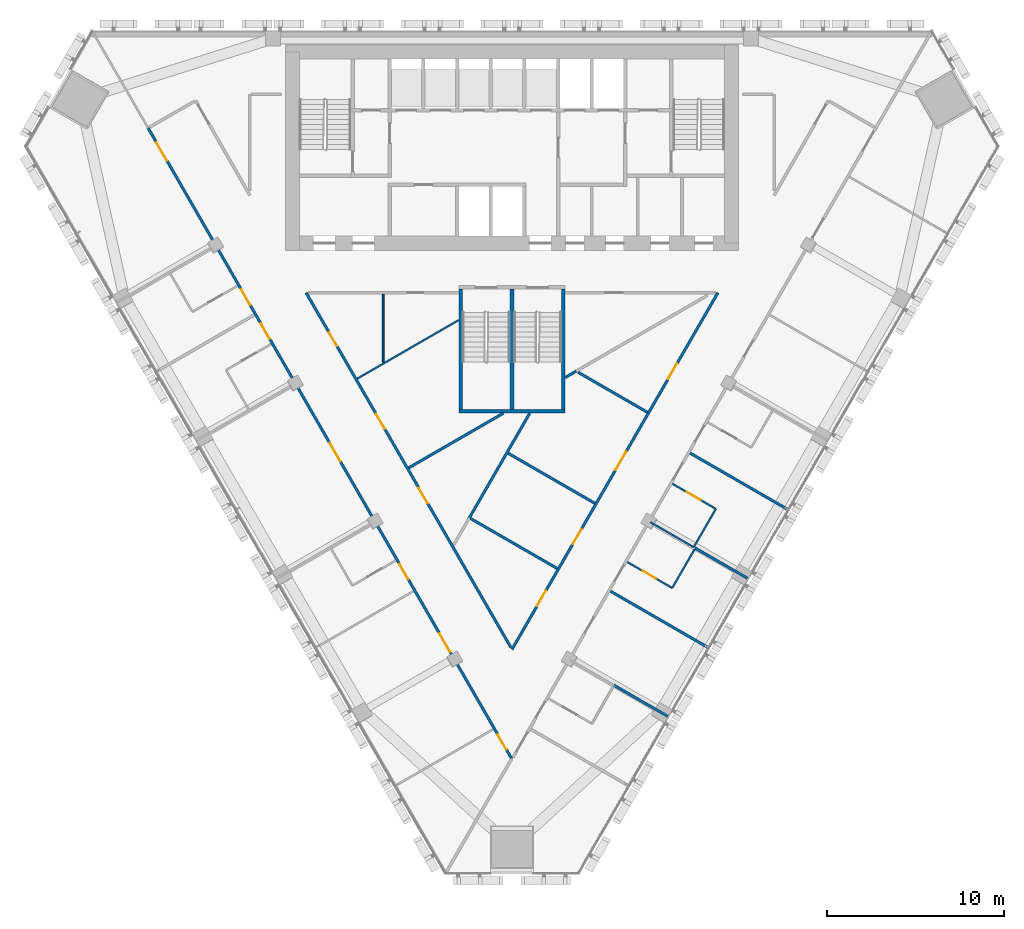
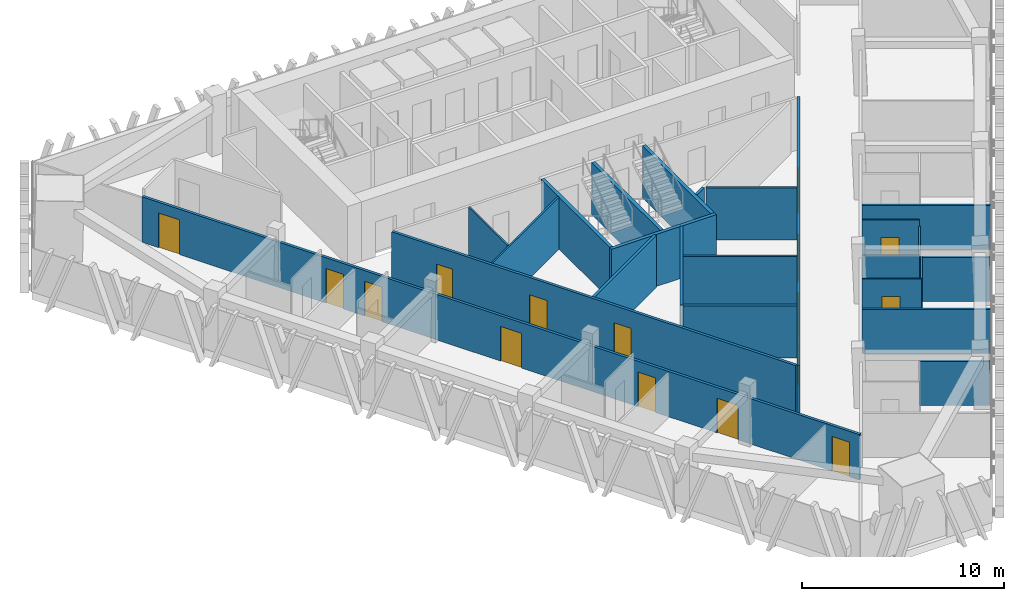
# One storey, part 9 of 15: 24 walls, 16 doors, 16 openings.
"""IFC4 building model written with IfcOpenShell, lengths in metres."""

from ifc_helpers import new_model, si_unit, direction, frame, frame_2d, origin, place, context, subcontext, project, spatial, rectangle, extrude, material, layer, layer_set, type_object, element, fill, save


model = new_model("IFC4")

# Units and contexts
model_context = context("Model", 3, precision=1e-05, world=origin(), true_north=direction((0.0, 1.0)))
body_context = subcontext(model_context, "Body", "Model", "MODEL_VIEW")
ifc_project = project(units=[si_unit("LENGTHUNIT", "METRE"), si_unit("AREAUNIT", "SQUARE_METRE"), si_unit("VOLUMEUNIT", "CUBIC_METRE"), si_unit("PLANEANGLEUNIT", "RADIAN"), si_unit("MASSUNIT", "GRAM", prefix="KILO")], contexts=[model_context])

# Site, building, storey
site_placement = place(None, origin())
site = spatial("IfcSite", under=ifc_project, at=site_placement, CompositionType="ELEMENT")
building_placement = place(site_placement, origin())
building = spatial("IfcBuilding", under=site, at=building_placement, Name="Altiplano Prism Tower", CompositionType="ELEMENT")
storey_placement = place(building_placement, frame((0.0, 0.0, 142.199951171875)))
storey = spatial("IfcBuildingStorey", under=building, at=storey_placement, Name="L36", CompositionType="ELEMENT", Elevation=142.199951171875)

# Wall
ifc_material_1 = material(Name="Plasterboard on steel stud", Category="steel")
ifc_layer_1 = layer(ifc_material_1, 0.10009765625)
ifc_layer_set_1 = layer_set([ifc_layer_1], Name="Plasterboard on steel stud")
wall_type_1 = type_object("IfcWallType", Name="Partition 100 unit", PredefinedType="PARTITIONING", material=ifc_layer_set_1)
wall_1_placement = place(storey_placement, frame((95.308349609375, 75.721435546875, 0.0), z_axis=(0.0, 0.0, 1.0), x_axis=(-0.499976333282, -0.866039067339, 0.0)))
element("IfcWall", 1, at=wall_1_placement, inside=storey, type_object=wall_type_1, Name="Partition P02 L36 040", PredefinedType="PARTITIONING", context=body_context, shape_type="SweptSolid", body=[
    extrude(rectangle(XDim=2.52490234375, YDim=0.10009765625, at=frame_2d((1.262451171875, 0.0))), origin(), (0.0, 0.0, 1.0), 2.75),
])

# Wall, opening, door
wall_2_placement = place(storey_placement, frame((94.0458984375, 73.53466796875, 0.0), z_axis=(0.0, 0.0, 1.0), x_axis=(-0.866022048785, 0.500005810984, 0.0)))
wall_2 = element("IfcWall", 2, at=wall_2_placement, inside=storey, type_object=wall_type_1, Name="Partition P02 L36 041", PredefinedType="PARTITIONING", context=body_context, shape_type="SweptSolid", body=[
    extrude(rectangle(XDim=2.93359375, YDim=0.10009765625, at=frame_2d((1.466796875, 0.0))), origin(), (0.0, 0.0, 1.0), 3.150146484375),
])
opening_1_placement = place(wall_2_placement, frame((1.050048828125, 0.0, 0.0)))
opening_1 = element("IfcOpeningElement", 3, at=opening_1_placement, cuts=wall_2, Name="Opening D1315", PredefinedType="OPENING", context=body_context, shape_type="SweptSolid", body=[
    extrude(rectangle(XDim=0.89990234375, YDim=2.10009765625, at=frame_2d((0.449951171875, 1.050048828125))), frame((0.0, 0.060546875, 0.0), z_axis=(0.0, -1.0, 0.0), x_axis=(1.0, 0.0, 0.0)), (0.0, 0.0, 1.0), 0.12109375),
])
ifc_material_2 = material(Name="Timber", Category="wood")
door_type_1 = type_object("IfcDoorType", Name="Ensuite door 900 x 2100", OperationType="NOTDEFINED", PredefinedType="NOTDEFINED", material=ifc_material_2)
door_1_placement = place(opening_1_placement, origin())
door_1 = element("IfcDoor", 4, at=door_1_placement, inside=storey, type_object=door_type_1, Name="Door D1315", OperationType="SINGLE_SWING_LEFT", OverallHeight=2.10009765625, OverallWidth=0.89990234375, PredefinedType="NOTDEFINED", context=body_context, shape_type="SweptSolid", body=[
    extrude(rectangle(XDim=0.89990234375, YDim=2.10009765625, at=frame_2d((0.449951171875, 1.050048828125))), frame((0.0, 0.02490234375, 0.0), z_axis=(0.0, -1.0, 0.0), x_axis=(1.0, 0.0, 0.0)), (0.0, 0.0, 1.0), 0.050048828125),
])
fill(opening_1, door_1)

wall_3_placement = place(storey_placement, frame((94.052490234375, 79.419921875, 0.0), z_axis=(0.0, 0.0, 1.0), x_axis=(0.866020773897, -0.500008019114, 0.0)))
wall_3 = element("IfcWall", 5, at=wall_3_placement, inside=storey, type_object=wall_type_1, Name="Partition P02 L36 044", PredefinedType="PARTITIONING", context=body_context, shape_type="SweptSolid", body=[
    extrude(rectangle(XDim=2.8369140625, YDim=0.10009765625, at=frame_2d((1.41845703125, 0.0))), origin(), (0.0, 0.0, 1.0), 3.150146484375),
])
opening_2_placement = place(wall_3_placement, frame((0.93701171875, 0.0, 0.0)))
opening_2 = element("IfcOpeningElement", 6, at=opening_2_placement, cuts=wall_3, Name="Opening D1317", PredefinedType="OPENING", context=body_context, shape_type="SweptSolid", body=[
    extrude(rectangle(XDim=0.89990234375, YDim=2.10009765625, at=frame_2d((0.449951171875, 1.050048828125))), frame((0.0, 0.060546875, 0.0), z_axis=(0.0, -1.0, 0.0), x_axis=(1.0, 0.0, 0.0)), (0.0, 0.0, 1.0), 0.12109375),
])
door_2_placement = place(opening_2_placement, origin())
door_2 = element("IfcDoor", 7, at=door_2_placement, inside=storey, type_object=door_type_1, Name="Door D1317", OperationType="SINGLE_SWING_LEFT", OverallHeight=2.10009765625, OverallWidth=0.89990234375, PredefinedType="NOTDEFINED", context=body_context, shape_type="SweptSolid", body=[
    extrude(rectangle(XDim=0.89990234375, YDim=2.10009765625, at=frame_2d((0.449951171875, 1.050048828125))), frame((0.0, 0.02490234375, 0.0), z_axis=(0.0, -1.0, 0.0), x_axis=(1.0, 0.0, 0.0)), (0.0, 0.0, 1.0), 0.050048828125),
])
fill(opening_2, door_2)

# Walls
wall_4_placement = place(storey_placement, frame((96.50927734375, 78.00146484375, 0.0), z_axis=(0.0, 0.0, 1.0), x_axis=(-0.500004234368, -0.866022959057, 0.0)))
element("IfcWall", 8, at=wall_4_placement, inside=storey, type_object=wall_type_1, Name="Partition P02 L36 045", PredefinedType="PARTITIONING", context=body_context, shape_type="SweptSolid", body=[
    extrude(rectangle(XDim=2.5, YDim=0.10009765625, at=frame_2d((1.25, 0.0))), origin(), (0.0, 0.0, 1.0), 2.75),
])
ifc_layer_2 = layer(ifc_material_1, 0.10009765625)
ifc_layer_set_2 = layer_set([ifc_layer_2], Name="Plasterboard on steel stud")
wall_type_2 = type_object("IfcWallType", Name="Partition 100 wet", PredefinedType="PARTITIONING", material=ifc_layer_set_2)
wall_5_placement = place(storey_placement, frame((77.734619140625, 90.1240234375, 0.0), z_axis=(0.0, 0.0, 1.0), x_axis=(0.0, -1.0, 0.0)))
element("IfcWall", 9, at=wall_5_placement, inside=storey, type_object=wall_type_2, Name="Partition P03 L36 015", PredefinedType="PARTITIONING", context=body_context, shape_type="SweptSolid", body=[
    extrude(rectangle(XDim=3.835693359375, YDim=0.10009765625, at=frame_2d((1.91796875, 0.0))), origin(), (0.0, 0.0, 1.0), 3.150146484375),
])
wall_6_placement = place(storey_placement, frame((76.262939453125, 85.35205078125, 0.0), z_axis=(0.0, 0.0, 1.0), x_axis=(0.866027860944, 0.49999574405, 0.0)))
element("IfcWall", 10, at=wall_6_placement, inside=storey, type_object=wall_type_2, Name="Partition P03 L36 016", PredefinedType="PARTITIONING", context=body_context, shape_type="SweptSolid", body=[
    extrude(rectangle(XDim=6.62451171875, YDim=0.10009765625, at=frame_2d((3.312255859375, 0.0))), origin(), (0.0, 0.0, 1.0), 3.150146484375),
])
wall_7_placement = place(storey_placement, frame((95.25927734375, 75.83642578125, 0.0), z_axis=(0.0, 0.0, 1.0), x_axis=(-0.866062276912, 0.49993612843, 0.0)))
element("IfcWall", 11, at=wall_7_placement, inside=storey, type_object=wall_type_2, Name="Partition P03 L36 043", PredefinedType="PARTITIONING", context=body_context, shape_type="SweptSolid", body=[
    extrude(rectangle(XDim=2.835205078125, YDim=0.10009765625, at=frame_2d((1.41748046875, 0.0))), origin(), (0.0, 0.0, 1.0), 2.75),
])

# Wall, openings, doors
ifc_layer_3 = layer(ifc_material_1, 0.14990234375)
ifc_layer_set_3 = layer_set([ifc_layer_3], Name="Plasterboard on steel stud")
wall_type_3 = type_object("IfcWallType", Name="Partition 150 corridor", PredefinedType="PARTITIONING", material=ifc_layer_set_3)
wall_8_placement = place(storey_placement, frame((96.6220703125, 90.198974609375, 0.0), z_axis=(0.0, 0.0, 1.0), x_axis=(-0.49999793811, -0.866026594214, 0.0)))
wall_8 = element("IfcWall", 12, at=wall_8_placement, inside=storey, type_object=wall_type_3, Name="Partition P06 L36 002", PredefinedType="PARTITIONING", context=body_context, shape_type="SweptSolid", body=[
    extrude(rectangle(XDim=23.244140625, YDim=0.14990234375, at=frame_2d((11.6220703125, 0.0))), origin(), (0.0, 0.0, 1.0), 3.150146484375),
])
opening_3_placement = place(wall_8_placement, frame((4.62109375, 0.0, 0.0)))
opening_3 = element("IfcOpeningElement", 13, at=opening_3_placement, cuts=wall_8, Name="Opening D1298", PredefinedType="OPENING", context=body_context, shape_type="SweptSolid", body=[
    extrude(rectangle(XDim=1.0, YDim=2.10009765625, at=frame_2d((0.5, 1.050048828125))), frame((0.0, 0.08544921875, 0.0), z_axis=(0.0, -1.0, 0.0), x_axis=(1.0, 0.0, 0.0)), (0.0, 0.0, 1.0), 0.1708984375),
])
opening_4_placement = place(wall_8_placement, frame((10.347900390625, 0.0, 0.0)))
opening_4 = element("IfcOpeningElement", 14, at=opening_4_placement, cuts=wall_8, Name="Opening D1326", PredefinedType="OPENING", context=body_context, shape_type="SweptSolid", body=[
    extrude(rectangle(XDim=1.199951171875, YDim=2.10009765625, at=frame_2d((0.60009765625, 1.050048828125))), frame((0.0, 0.08544921875, 0.0), z_axis=(0.0, -1.0, 0.0), x_axis=(1.0, 0.0, 0.0)), (0.0, 0.0, 1.0), 0.1708984375),
])
opening_5_placement = place(wall_8_placement, frame((15.388916015625, 0.0, 0.0)))
opening_5 = element("IfcOpeningElement", 15, at=opening_5_placement, cuts=wall_8, Name="Opening D1327", PredefinedType="OPENING", context=body_context, shape_type="SweptSolid", body=[
    extrude(rectangle(XDim=1.0, YDim=2.10009765625, at=frame_2d((0.5, 1.050048828125))), frame((0.0, 0.08544921875, 0.0), z_axis=(0.0, -1.0, 0.0), x_axis=(1.0, 0.0, 0.0)), (0.0, 0.0, 1.0), 0.1708984375),
])
opening_6_placement = place(wall_8_placement, frame((19.423095703125, 0.0, 0.0)))
opening_6 = element("IfcOpeningElement", 16, at=opening_6_placement, cuts=wall_8, Name="Opening D1329", PredefinedType="OPENING", context=body_context, shape_type="SweptSolid", body=[
    extrude(rectangle(XDim=1.0, YDim=2.10009765625, at=frame_2d((0.5, 1.050048828125))), frame((0.0, 0.08544921875, 0.0), z_axis=(0.0, -1.0, 0.0), x_axis=(1.0, 0.0, 0.0)), (0.0, 0.0, 1.0), 0.1708984375),
])
door_type_2 = type_object("IfcDoorType", Name="Shared room door 1200 x 2100", OperationType="NOTDEFINED", PredefinedType="NOTDEFINED", material=ifc_material_2)
door_3_placement = place(opening_4_placement, origin())
door_3 = element("IfcDoor", 17, at=door_3_placement, inside=storey, type_object=door_type_2, Name="Door D1326", OperationType="SINGLE_SWING_LEFT", OverallHeight=2.10009765625, OverallWidth=1.199951171875, PredefinedType="NOTDEFINED", context=body_context, shape_type="SweptSolid", body=[
    extrude(rectangle(XDim=1.199951171875, YDim=2.10009765625, at=frame_2d((0.60009765625, 1.050048828125))), frame((0.0, 0.02490234375, 0.0), z_axis=(0.0, -1.0, 0.0), x_axis=(1.0, 0.0, 0.0)), (0.0, 0.0, 1.0), 0.050048828125),
])
fill(opening_4, door_3)
door_type_3 = type_object("IfcDoorType", Name="Store door 1000 x 2100", OperationType="NOTDEFINED", PredefinedType="NOTDEFINED", material=ifc_material_2)
door_4_placement = place(opening_3_placement, origin())
door_4 = element("IfcDoor", 18, at=door_4_placement, inside=storey, type_object=door_type_3, Name="Door D1298", OperationType="SINGLE_SWING_LEFT", OverallHeight=2.10009765625, OverallWidth=1.0, PredefinedType="NOTDEFINED", context=body_context, shape_type="SweptSolid", body=[
    extrude(rectangle(XDim=1.0, YDim=2.10009765625, at=frame_2d((0.5, 1.050048828125))), frame((0.0, 0.02490234375, 0.0), z_axis=(0.0, -1.0, 0.0), x_axis=(1.0, 0.0, 0.0)), (0.0, 0.0, 1.0), 0.050048828125),
])
fill(opening_3, door_4)
door_5_placement = place(opening_5_placement, origin())
door_5 = element("IfcDoor", 19, at=door_5_placement, inside=storey, type_object=door_type_3, Name="Door D1327", OperationType="SINGLE_SWING_LEFT", OverallHeight=2.10009765625, OverallWidth=1.0, PredefinedType="NOTDEFINED", context=body_context, shape_type="SweptSolid", body=[
    extrude(rectangle(XDim=1.0, YDim=2.10009765625, at=frame_2d((0.5, 1.050048828125))), frame((0.0, 0.02490234375, 0.0), z_axis=(0.0, -1.0, 0.0), x_axis=(1.0, 0.0, 0.0)), (0.0, 0.0, 1.0), 0.050048828125),
])
fill(opening_5, door_5)
door_6_placement = place(opening_6_placement, origin())
door_6 = element("IfcDoor", 20, at=door_6_placement, inside=storey, type_object=door_type_3, Name="Door D1329", OperationType="SINGLE_SWING_RIGHT", OverallHeight=2.10009765625, OverallWidth=1.0, PredefinedType="NOTDEFINED", context=body_context, shape_type="SweptSolid", body=[
    extrude(rectangle(XDim=1.0, YDim=2.10009765625, at=frame_2d((0.5, 1.050048828125))), frame((0.0, 0.02490234375, 0.0), z_axis=(0.0, -1.0, 0.0), x_axis=(1.0, 0.0, 0.0)), (0.0, 0.0, 1.0), 0.050048828125),
])
fill(opening_6, door_6)

wall_9_placement = place(storey_placement, frame((64.44873046875, 99.517333984375, 0.0), z_axis=(0.0, 0.0, 1.0), x_axis=(0.499425839766, -0.866356641675, 0.0)))
wall_9 = element("IfcWall", 21, at=wall_9_placement, inside=storey, type_object=wall_type_3, Name="Partition P06 L36 004", PredefinedType="PARTITIONING", context=body_context, shape_type="SweptSolid", body=[
    extrude(rectangle(XDim=41.118408203125, YDim=0.14990234375, at=frame_2d((20.55908203125, 0.0))), origin(), (0.0, 0.0, 1.0), 2.75),
])
opening_7_placement = place(wall_9_placement, frame((0.950927734375, 0.0, 0.0)))
opening_7 = element("IfcOpeningElement", 22, at=opening_7_placement, cuts=wall_9, Name="Opening D1300", PredefinedType="OPENING", context=body_context, shape_type="SweptSolid", body=[
    extrude(rectangle(XDim=1.199951171875, YDim=2.10009765625, at=frame_2d((0.60009765625, 1.050048828125))), frame((0.0, 0.08544921875, 0.0), z_axis=(0.0, -1.0, 0.0), x_axis=(1.0, 0.0, 0.0)), (0.0, 0.0, 1.0), 0.1708984375),
])
opening_8_placement = place(wall_9_placement, frame((10.552001953125, 0.0, 0.0)))
opening_8 = element("IfcOpeningElement", 23, at=opening_8_placement, cuts=wall_9, Name="Opening D1301", PredefinedType="OPENING", context=body_context, shape_type="SweptSolid", body=[
    extrude(rectangle(XDim=1.0, YDim=2.10009765625, at=frame_2d((0.5, 1.050048828125))), frame((0.0, 0.08544921875, 0.0), z_axis=(0.0, -1.0, 0.0), x_axis=(1.0, 0.0, 0.0)), (0.0, 0.0, 1.0), 0.1708984375),
])
opening_9_placement = place(wall_9_placement, frame((12.761962890625, 0.0, 0.0)))
opening_9 = element("IfcOpeningElement", 24, at=opening_9_placement, cuts=wall_9, Name="Opening D1303", PredefinedType="OPENING", context=body_context, shape_type="SweptSolid", body=[
    extrude(rectangle(XDim=1.0, YDim=2.10009765625, at=frame_2d((0.5, 1.050048828125))), frame((0.0, 0.08544921875, 0.0), z_axis=(0.0, -1.0, 0.0), x_axis=(1.0, 0.0, 0.0)), (0.0, 0.0, 1.0), 0.1708984375),
])
opening_10_placement = place(wall_9_placement, frame((20.556884765625, 0.0, 0.0)))
opening_10 = element("IfcOpeningElement", 25, at=opening_10_placement, cuts=wall_9, Name="Opening D1305", PredefinedType="OPENING", context=body_context, shape_type="SweptSolid", body=[
    extrude(rectangle(XDim=1.199951171875, YDim=2.10009765625, at=frame_2d((0.60009765625, 1.050048828125))), frame((0.0, 0.08544921875, 0.0), z_axis=(0.0, -1.0, 0.0), x_axis=(1.0, 0.0, 0.0)), (0.0, 0.0, 1.0), 0.1708984375),
])
opening_11_placement = place(wall_9_placement, frame((28.43603515625, 0.0, 0.0)))
opening_11 = element("IfcOpeningElement", 26, at=opening_11_placement, cuts=wall_9, Name="Opening D1306", PredefinedType="OPENING", context=body_context, shape_type="SweptSolid", body=[
    extrude(rectangle(XDim=1.0, YDim=2.10009765625, at=frame_2d((0.5, 1.050048828125))), frame((0.0, 0.08544921875, 0.0), z_axis=(0.0, -1.0, 0.0), x_axis=(1.0, 0.0, 0.0)), (0.0, 0.0, 1.0), 0.1708984375),
])
opening_12_placement = place(wall_9_placement, frame((32.95703125, 0.0, 0.0)))
opening_12 = element("IfcOpeningElement", 27, at=opening_12_placement, cuts=wall_9, Name="Opening D1308", PredefinedType="OPENING", context=body_context, shape_type="SweptSolid", body=[
    extrude(rectangle(XDim=1.199951171875, YDim=2.10009765625, at=frame_2d((0.60009765625, 1.050048828125))), frame((0.0, 0.08544921875, 0.0), z_axis=(0.0, -1.0, 0.0), x_axis=(1.0, 0.0, 0.0)), (0.0, 0.0, 1.0), 0.1708984375),
])
opening_13_placement = place(wall_9_placement, frame((39.530029296875, 0.0, 0.0)))
opening_13 = element("IfcOpeningElement", 28, at=opening_13_placement, cuts=wall_9, Name="Opening D1309", PredefinedType="OPENING", context=body_context, shape_type="SweptSolid", body=[
    extrude(rectangle(XDim=1.0, YDim=2.10009765625, at=frame_2d((0.5, 1.050048828125))), frame((0.0, 0.08544921875, 0.0), z_axis=(0.0, -1.0, 0.0), x_axis=(1.0, 0.0, 0.0)), (0.0, 0.0, 1.0), 0.1708984375),
])
door_type_4 = type_object("IfcDoorType", Name="Bedroom entrance door 1000 x 2100", OperationType="NOTDEFINED", PredefinedType="NOTDEFINED", material=ifc_material_2)
door_7_placement = place(opening_8_placement, origin())
door_7 = element("IfcDoor", 29, at=door_7_placement, inside=storey, type_object=door_type_4, Name="Door D1301", OperationType="SINGLE_SWING_LEFT", OverallHeight=2.10009765625, OverallWidth=1.0, PredefinedType="NOTDEFINED", context=body_context, shape_type="SweptSolid", body=[
    extrude(rectangle(XDim=1.0, YDim=2.10009765625, at=frame_2d((0.5, 1.050048828125))), frame((0.0, 0.02490234375, 0.0), z_axis=(0.0, -1.0, 0.0), x_axis=(1.0, 0.0, 0.0)), (0.0, 0.0, 1.0), 0.050048828125),
])
fill(opening_8, door_7)
door_8_placement = place(opening_9_placement, origin())
door_8 = element("IfcDoor", 30, at=door_8_placement, inside=storey, type_object=door_type_4, Name="Door D1303", OperationType="SINGLE_SWING_RIGHT", OverallHeight=2.10009765625, OverallWidth=1.0, PredefinedType="NOTDEFINED", context=body_context, shape_type="SweptSolid", body=[
    extrude(rectangle(XDim=1.0, YDim=2.10009765625, at=frame_2d((0.5, 1.050048828125))), frame((0.0, 0.02490234375, 0.0), z_axis=(0.0, -1.0, 0.0), x_axis=(1.0, 0.0, 0.0)), (0.0, 0.0, 1.0), 0.050048828125),
])
fill(opening_9, door_8)
door_9_placement = place(opening_11_placement, origin())
door_9 = element("IfcDoor", 31, at=door_9_placement, inside=storey, type_object=door_type_4, Name="Door D1306", OperationType="SINGLE_SWING_LEFT", OverallHeight=2.10009765625, OverallWidth=1.0, PredefinedType="NOTDEFINED", context=body_context, shape_type="SweptSolid", body=[
    extrude(rectangle(XDim=1.0, YDim=2.10009765625, at=frame_2d((0.5, 1.050048828125))), frame((0.0, 0.02490234375, 0.0), z_axis=(0.0, -1.0, 0.0), x_axis=(1.0, 0.0, 0.0)), (0.0, 0.0, 1.0), 0.050048828125),
])
fill(opening_11, door_9)
door_type_5 = type_object("IfcDoorType", Name="Room door 1000 x 2100", OperationType="NOTDEFINED", PredefinedType="NOTDEFINED", material=ifc_material_2)
door_10_placement = place(opening_13_placement, origin())
door_10 = element("IfcDoor", 32, at=door_10_placement, inside=storey, type_object=door_type_5, Name="Door D1309", OperationType="SINGLE_SWING_RIGHT", OverallHeight=2.10009765625, OverallWidth=1.0, PredefinedType="NOTDEFINED", context=body_context, shape_type="SweptSolid", body=[
    extrude(rectangle(XDim=1.0, YDim=2.10009765625, at=frame_2d((0.5, 1.050048828125))), frame((0.0, 0.02490234375, 0.0), z_axis=(0.0, -1.0, 0.0), x_axis=(1.0, 0.0, 0.0)), (0.0, 0.0, 1.0), 0.050048828125),
])
fill(opening_13, door_10)
door_11_placement = place(opening_7_placement, origin())
door_11 = element("IfcDoor", 33, at=door_11_placement, inside=storey, type_object=door_type_2, Name="Door D1300", OperationType="SINGLE_SWING_LEFT", OverallHeight=2.10009765625, OverallWidth=1.199951171875, PredefinedType="NOTDEFINED", context=body_context, shape_type="SweptSolid", body=[
    extrude(rectangle(XDim=1.199951171875, YDim=2.10009765625, at=frame_2d((0.60009765625, 1.050048828125))), frame((0.0, 0.02490234375, 0.0), z_axis=(0.0, -1.0, 0.0), x_axis=(1.0, 0.0, 0.0)), (0.0, 0.0, 1.0), 0.050048828125),
])
fill(opening_7, door_11)
door_12_placement = place(opening_10_placement, origin())
door_12 = element("IfcDoor", 34, at=door_12_placement, inside=storey, type_object=door_type_2, Name="Door D1305", OperationType="SINGLE_SWING_RIGHT", OverallHeight=2.10009765625, OverallWidth=1.199951171875, PredefinedType="NOTDEFINED", context=body_context, shape_type="SweptSolid", body=[
    extrude(rectangle(XDim=1.199951171875, YDim=2.10009765625, at=frame_2d((0.60009765625, 1.050048828125))), frame((0.0, 0.02490234375, 0.0), z_axis=(0.0, -1.0, 0.0), x_axis=(1.0, 0.0, 0.0)), (0.0, 0.0, 1.0), 0.050048828125),
])
fill(opening_10, door_12)
door_13_placement = place(opening_12_placement, origin())
door_13 = element("IfcDoor", 35, at=door_13_placement, inside=storey, type_object=door_type_2, Name="Door D1308", OperationType="SINGLE_SWING_LEFT", OverallHeight=2.10009765625, OverallWidth=1.199951171875, PredefinedType="NOTDEFINED", context=body_context, shape_type="SweptSolid", body=[
    extrude(rectangle(XDim=1.199951171875, YDim=2.10009765625, at=frame_2d((0.60009765625, 1.050048828125))), frame((0.0, 0.02490234375, 0.0), z_axis=(0.0, -1.0, 0.0), x_axis=(1.0, 0.0, 0.0)), (0.0, 0.0, 1.0), 0.050048828125),
])
fill(opening_12, door_13)

wall_10_placement = place(storey_placement, frame((84.93505859375, 70.181396484375, 0.0), z_axis=(0.0, 0.0, 1.0), x_axis=(-0.499999181911, 0.866025876108, 0.0)))
wall_10 = element("IfcWall", 36, at=wall_10_placement, inside=storey, type_object=wall_type_3, Name="Partition P06 L36 014", PredefinedType="PARTITIONING", context=body_context, shape_type="SweptSolid", body=[
    extrude(rectangle(XDim=23.1142578125, YDim=0.14990234375, at=frame_2d((11.55712890625, 0.0))), origin(), (0.0, 0.0, 1.0), 3.150146484375),
])
opening_14_placement = place(wall_10_placement, frame((19.636962890625, 0.0, 0.0)))
opening_14 = element("IfcOpeningElement", 37, at=opening_14_placement, cuts=wall_10, Name="Opening D1297", PredefinedType="OPENING", context=body_context, shape_type="SweptSolid", body=[
    extrude(rectangle(XDim=0.89990234375, YDim=2.10009765625, at=frame_2d((0.449951171875, 1.050048828125))), frame((0.0, 0.08544921875, 0.0), z_axis=(0.0, -1.0, 0.0), x_axis=(1.0, 0.0, 0.0)), (0.0, 0.0, 1.0), 0.1708984375),
])
opening_15_placement = place(wall_10_placement, frame((14.22607421875, 0.0, 0.0)))
opening_15 = element("IfcOpeningElement", 38, at=opening_15_placement, cuts=wall_10, Name="Opening D1325", PredefinedType="OPENING", context=body_context, shape_type="SweptSolid", body=[
    extrude(rectangle(XDim=1.0, YDim=2.10009765625, at=frame_2d((0.5, 1.050048828125))), frame((0.0, 0.08544921875, 0.0), z_axis=(0.0, -1.0, 0.0), x_axis=(1.0, 0.0, 0.0)), (0.0, 0.0, 1.0), 0.1708984375),
])
opening_16_placement = place(wall_10_placement, frame((9.39697265625, 0.0, 0.0)))
opening_16 = element("IfcOpeningElement", 39, at=opening_16_placement, cuts=wall_10, Name="Opening D1328", PredefinedType="OPENING", context=body_context, shape_type="SweptSolid", body=[
    extrude(rectangle(XDim=1.0, YDim=2.10009765625, at=frame_2d((0.5, 1.050048828125))), frame((0.0, 0.08544921875, 0.0), z_axis=(0.0, -1.0, 0.0), x_axis=(1.0, 0.0, 0.0)), (0.0, 0.0, 1.0), 0.1708984375),
])
door_14_placement = place(opening_16_placement, origin())
door_14 = element("IfcDoor", 40, at=door_14_placement, inside=storey, type_object=door_type_5, Name="Door D1328", OperationType="SINGLE_SWING_LEFT", OverallHeight=2.10009765625, OverallWidth=1.0, PredefinedType="NOTDEFINED", context=body_context, shape_type="SweptSolid", body=[
    extrude(rectangle(XDim=1.0, YDim=2.10009765625, at=frame_2d((0.5, 1.050048828125))), frame((0.0, 0.02490234375, 0.0), z_axis=(0.0, -1.0, 0.0), x_axis=(1.0, 0.0, 0.0)), (0.0, 0.0, 1.0), 0.050048828125),
])
fill(opening_16, door_14)
door_15_placement = place(opening_15_placement, origin())
door_15 = element("IfcDoor", 41, at=door_15_placement, inside=storey, type_object=door_type_3, Name="Door D1325", OperationType="SINGLE_SWING_LEFT", OverallHeight=2.10009765625, OverallWidth=1.0, PredefinedType="NOTDEFINED", context=body_context, shape_type="SweptSolid", body=[
    extrude(rectangle(XDim=1.0, YDim=2.10009765625, at=frame_2d((0.5, 1.050048828125))), frame((0.0, 0.02490234375, 0.0), z_axis=(0.0, -1.0, 0.0), x_axis=(1.0, 0.0, 0.0)), (0.0, 0.0, 1.0), 0.050048828125),
])
fill(opening_15, door_15)
door_type_6 = type_object("IfcDoorType", Name="Toilet door 900 x 2100", OperationType="NOTDEFINED", PredefinedType="NOTDEFINED", material=ifc_material_2)
door_16_placement = place(opening_14_placement, origin())
door_16 = element("IfcDoor", 42, at=door_16_placement, inside=storey, type_object=door_type_6, Name="Door D1297", OperationType="SINGLE_SWING_LEFT", OverallHeight=2.10009765625, OverallWidth=0.89990234375, PredefinedType="NOTDEFINED", context=body_context, shape_type="SweptSolid", body=[
    extrude(rectangle(XDim=0.89990234375, YDim=2.10009765625, at=frame_2d((0.449951171875, 1.050048828125))), frame((0.0, 0.02490234375, 0.0), z_axis=(0.0, -1.0, 0.0), x_axis=(1.0, 0.0, 0.0)), (0.0, 0.0, 1.0), 0.050048828125),
])
fill(opening_14, door_16)

# Walls
ifc_layer_4 = layer(ifc_material_1, 0.14990234375)
ifc_layer_set_4 = layer_set([ifc_layer_4], Name="Plasterboard on steel stud")
wall_type_4 = type_object("IfcWallType", Name="Partition 150 party", PredefinedType="PARTITIONING", material=ifc_layer_set_4)
wall_11_placement = place(storey_placement, frame((88.7353515625, 85.710205078125, 0.0), z_axis=(0.0, 0.0, 1.0), x_axis=(0.866029661101, -0.499992626039, 0.0)))
element("IfcWall", 43, at=wall_11_placement, inside=storey, type_object=wall_type_4, Name="Partition P01 L36 018", PredefinedType="PARTITIONING", context=body_context, shape_type="SweptSolid", body=[
    extrude(rectangle(XDim=4.5107421875, YDim=0.14990234375, at=frame_2d((2.25537109375, 0.0))), origin(), (0.0, 0.0, 1.0), 3.150146484375),
])
wall_12_placement = place(storey_placement, frame((88.0, 85.41552734375, 0.0), z_axis=(0.0, 0.0, 1.0), x_axis=(0.865999022067, 0.500045691691, 0.0)))
element("IfcWall", 44, at=wall_12_placement, inside=storey, type_object=wall_type_4, Name="Partition P01 L36 019", PredefinedType="PARTITIONING", context=body_context, shape_type="SweptSolid", body=[
    extrude(rectangle(XDim=0.71923828125, YDim=0.14990234375, at=frame_2d((0.359619140625, 0.0))), origin(), (0.0, 0.0, 1.0), 3.150146484375),
])
wall_13_placement = place(storey_placement, frame((93.790283203125, 66.292236328125, 0.0), z_axis=(0.0, 0.0, 1.0), x_axis=(-0.866019260715, 0.500010639957, 0.0)))
element("IfcWall", 45, at=wall_13_placement, inside=storey, type_object=wall_type_4, Name="Partition P01 L36 037", PredefinedType="PARTITIONING", context=body_context, shape_type="SweptSolid", body=[
    extrude(rectangle(XDim=3.52001953125, YDim=0.14990234375, at=frame_2d((1.760009765625, 0.0))), origin(), (0.0, 0.0, 1.0), 2.650146484375),
])
wall_14_placement = place(storey_placement, frame((96.057861328125, 70.17919921875, 0.0), z_axis=(0.0, 0.0, 1.0), x_axis=(-0.866025586274, 0.499999683919, 0.0)))
element("IfcWall", 46, at=wall_14_placement, inside=storey, type_object=wall_type_4, Name="Partition P01 L36 039", PredefinedType="PARTITIONING", context=body_context, shape_type="SweptSolid", body=[
    extrude(rectangle(XDim=6.3525390625, YDim=0.14990234375, at=frame_2d((3.17626953125, 0.0))), origin(), (0.0, 0.0, 1.0), 2.650146484375),
])
wall_15_placement = place(storey_placement, frame((98.290283203125, 74.08642578125, 0.0), z_axis=(0.0, 0.0, 1.0), x_axis=(-0.866038183914, 0.499977863513, 0.0)))
element("IfcWall", 47, at=wall_15_placement, inside=storey, type_object=wall_type_4, Name="Partition P01 L36 042", PredefinedType="PARTITIONING", context=body_context, shape_type="SweptSolid", body=[
    extrude(rectangle(XDim=3.420166015625, YDim=0.14990234375, at=frame_2d((1.7099609375, 0.0))), origin(), (0.0, 0.0, 1.0), 2.650146484375),
])
wall_16_placement = place(storey_placement, frame((100.557861328125, 77.973388671875, 0.0), z_axis=(0.0, 0.0, 1.0), x_axis=(-0.866027653641, 0.499996103113, 0.0)))
element("IfcWall", 48, at=wall_16_placement, inside=storey, type_object=wall_type_4, Name="Partition P01 L36 046", PredefinedType="PARTITIONING", context=body_context, shape_type="SweptSolid", body=[
    extrude(rectangle(XDim=6.3583984375, YDim=0.14990234375, at=frame_2d((3.17919921875, 0.0))), origin(), (0.0, 0.0, 1.0), 2.650146484375),
])
wall_17_placement = place(storey_placement, frame((79.169677734375, 80.3173828125, 0.0), z_axis=(0.0, 0.0, 1.0), x_axis=(0.866036555756, 0.499980683721, 0.0)))
element("IfcWall", 49, at=wall_17_placement, inside=storey, type_object=wall_type_4, Name="Partition P01 L36 053", PredefinedType="PARTITIONING", context=body_context, shape_type="SweptSolid", body=[
    extrude(rectangle(XDim=6.165283203125, YDim=0.14990234375, at=frame_2d((3.08251953125, 0.0))), origin(), (0.0, 0.0, 1.0), 3.150146484375),
])
wall_18_placement = place(storey_placement, frame((84.78369140625, 81.140380859375, 0.0), z_axis=(0.0, 0.0, 1.0), x_axis=(0.86602938387, -0.499993106226, 0.0)))
element("IfcWall", 50, at=wall_18_placement, inside=storey, type_object=wall_type_4, Name="Partition P01 L36 054", PredefinedType="PARTITIONING", context=body_context, shape_type="SweptSolid", body=[
    extrude(rectangle(XDim=5.64794921875, YDim=0.14990234375, at=frame_2d((2.823974609375, 0.0))), origin(), (0.0, 0.0, 1.0), 3.150146484375),
])
wall_19_placement = place(storey_placement, frame((86.001708984375, 83.39990234375, 0.0), z_axis=(0.0, 0.0, 1.0), x_axis=(-0.500003823521, -0.866023196262, 0.0)))
element("IfcWall", 51, at=wall_19_placement, inside=storey, type_object=wall_type_4, Name="Partition P01 L36 055", PredefinedType="PARTITIONING", context=body_context, shape_type="SweptSolid", body=[
    extrude(rectangle(XDim=6.8349609375, YDim=0.14990234375, at=frame_2d((3.41748046875, 0.0))), origin(), (0.0, 0.0, 1.0), 3.150146484375),
])
wall_20_placement = place(storey_placement, frame((82.6591796875, 77.46044921875, 0.0), z_axis=(0.0, 0.0, 1.0), x_axis=(0.86602938387, -0.499993106226, 0.0)))
element("IfcWall", 52, at=wall_20_placement, inside=storey, type_object=wall_type_4, Name="Partition P01 L36 056", PredefinedType="PARTITIONING", context=body_context, shape_type="SweptSolid", body=[
    extrude(rectangle(XDim=5.64794921875, YDim=0.14990234375, at=frame_2d((2.823974609375, 0.0))), origin(), (0.0, 0.0, 1.0), 3.150146484375),
])
ifc_material_3 = material(Name="Concrete C60/75", Category="concrete")
ifc_layer_5 = layer(ifc_material_3, 0.199951171875)
ifc_layer_set_5 = layer_set([ifc_layer_5], Name="Concrete C60/75")
wall_type_5 = type_object("IfcWallType", Name="Stair wall 200", PredefinedType="SOLIDWALL", material=ifc_layer_set_5)
wall_21_placement = place(storey_placement, frame((82.0, 83.5, 0.0), z_axis=(0.0, 0.0, 1.0), x_axis=(1.0, 0.0, 0.0)))
element("IfcWall", 53, at=wall_21_placement, inside=storey, type_object=wall_type_5, Name="Stair 3 wall south L36", PredefinedType="SOLIDWALL", context=body_context, shape_type="SweptSolid", body=[
    extrude(rectangle(XDim=6.0, YDim=0.199951171875, at=frame_2d((3.0, 0.0))), origin(), (0.0, 0.0, 1.0), 3.150146484375),
])
for number, where, z_axis, x_axis, name in (
    (54, (82.10009765625, 83.60009765625, 0.0), (0.0, 0.0, 1.0), (0.0, 1.0, 0.0), "Stair 3 wall west L36"),
    (55, (87.89990234375, 83.60009765625, 0.0), (0.0, 0.0, 1.0), (0.0, 1.0, 0.0), "Stair 3 wall east L36"),
    (56, (85.0, 83.60009765625, 0.0), (0.0, 0.0, 1.0), (0.0, 1.0, 0.0), "Stair 3 wall divider L36"),
):
    element("IfcWall", number, at=place(storey_placement, frame(where, z_axis=z_axis, x_axis=x_axis)), inside=storey, type_object=wall_type_5, Name=name, PredefinedType="SOLIDWALL", context=body_context, shape_type="SweptSolid", body=[
        extrude(rectangle(XDim=6.7998046875, YDim=0.199951171875, at=frame_2d((3.39990234375, 0.0))), origin(), (0.0, 0.0, 1.0), 3.150146484375),
    ])

save(model, "model.ifc")
